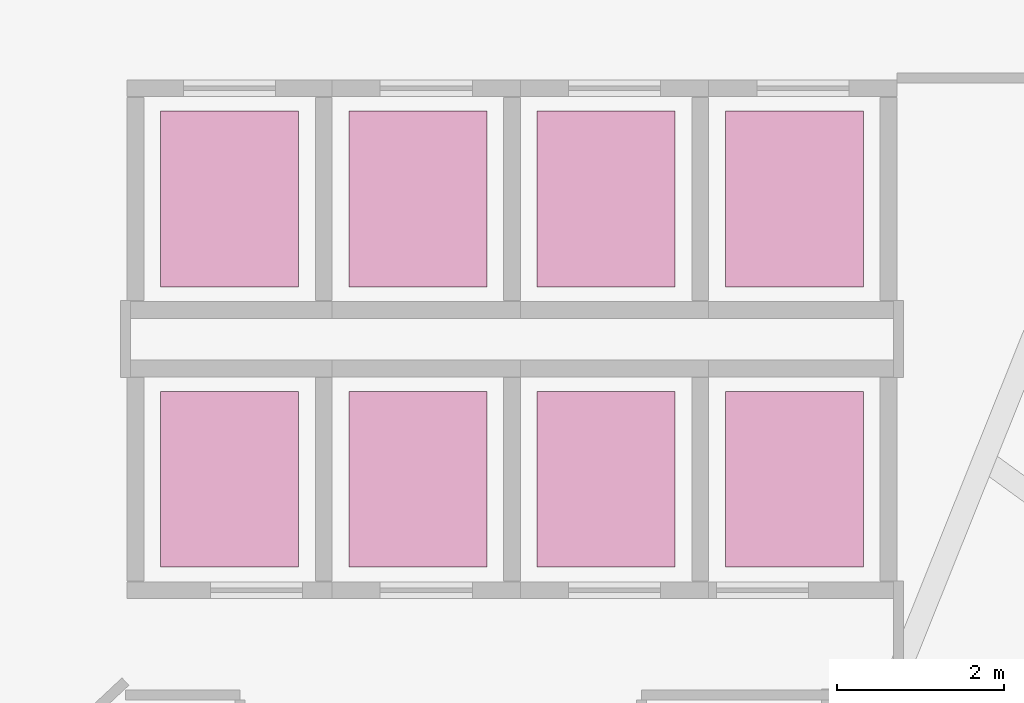
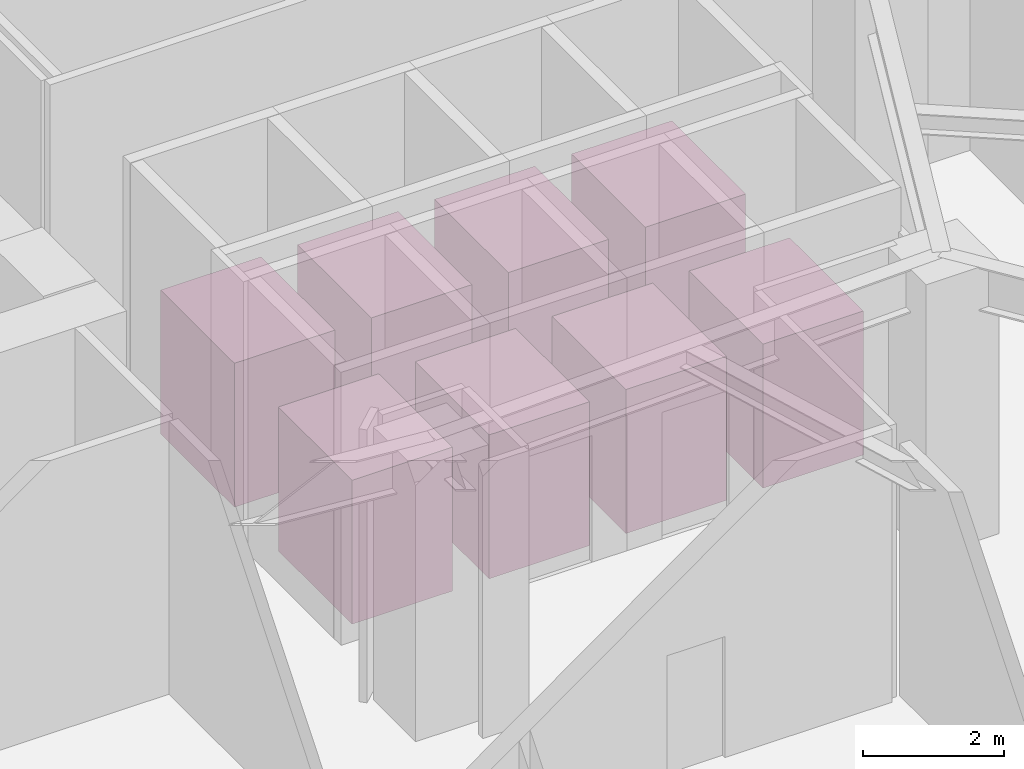
# One storey, part 23 of 23: 8 transport elements.
"""IFC4 building model written with IfcOpenShell, lengths in metres."""

from ifc_helpers import new_model, si_unit, direction, frame, origin, origin_2d, place, context, subcontext, project, spatial, rectangle, extrude, material, type_object, element, save


model = new_model("IFC4")

# Units and contexts
model_context = context("Model", 3, precision=1e-05, world=origin(), true_north=direction((0.0, 1.0)))
body_context = subcontext(model_context, "Body", "Model", "MODEL_VIEW")
ifc_project = project(units=[si_unit("LENGTHUNIT", "METRE"), si_unit("AREAUNIT", "SQUARE_METRE"), si_unit("VOLUMEUNIT", "CUBIC_METRE"), si_unit("PLANEANGLEUNIT", "RADIAN"), si_unit("MASSUNIT", "GRAM", prefix="KILO")], contexts=[model_context])

# Site, building, storey
site_placement = place(None, origin())
site = spatial("IfcSite", under=ifc_project, at=site_placement, CompositionType="ELEMENT")
building_placement = place(site_placement, origin())
building = spatial("IfcBuilding", under=site, at=building_placement, Name="Kolvaren Gate Tower and Convention Centre", CompositionType="ELEMENT")
storey_placement = place(building_placement, origin())
storey = spatial("IfcBuildingStorey", under=building, at=storey_placement, Name="L00", CompositionType="ELEMENT", Elevation=0.0)

# Transport elements
ifc_material = material(Name="Brushed Stainless Steel Grade 316L", Category="steel")
transport_element_type = type_object("IfcTransportElementType", Name="MEP-LIFT-CAR-PASS", PredefinedType="ELEVATOR", material=ifc_material)
for number, where, z_axis, x_axis, name in (
    (1, (31.02490234375, 18.22509765625, 0.0), (0.0, 0.0, 1.0), (1.0, 0.0, 0.0), "Elevator PL-05"),
    (2, (33.27490234375, 18.22509765625, 0.0), (0.0, 0.0, 1.0), (1.0, 0.0, 0.0), "Elevator PL-06"),
    (3, (35.52490234375, 18.22509765625, 0.0), (0.0, 0.0, 1.0), (1.0, 0.0, 0.0), "Elevator PL-07"),
    (4, (37.77490234375, 18.22509765625, 0.0), (0.0, 0.0, 1.0), (1.0, 0.0, 0.0), "Elevator PL-08"),
    (5, (31.02490234375, 21.574951171875, 0.0), (0.0, 0.0, 1.0), (1.0, 0.0, 0.0), "Elevator PL-09"),
    (6, (33.27490234375, 21.574951171875, 0.0), (0.0, 0.0, 1.0), (1.0, 0.0, 0.0), "Elevator PL-10"),
    (7, (35.52490234375, 21.574951171875, 0.0), (0.0, 0.0, 1.0), (1.0, 0.0, 0.0), "Elevator PL-11"),
    (8, (37.77490234375, 21.574951171875, 0.0), (0.0, 0.0, 1.0), (1.0, 0.0, 0.0), "Elevator PL-12"),
):
    element("IfcTransportElement", number, at=place(storey_placement, frame(where, z_axis=z_axis, x_axis=x_axis)), inside=storey, type_object=transport_element_type, Name=name, PredefinedType="ELEVATOR", context=body_context, shape_type="SweptSolid", body=[
        extrude(rectangle(XDim=1.64990234375, YDim=2.10009765625, at=origin_2d()), origin(), (0.0, 0.0, 1.0), 2.5),
    ])

save(model, "model.ifc")
